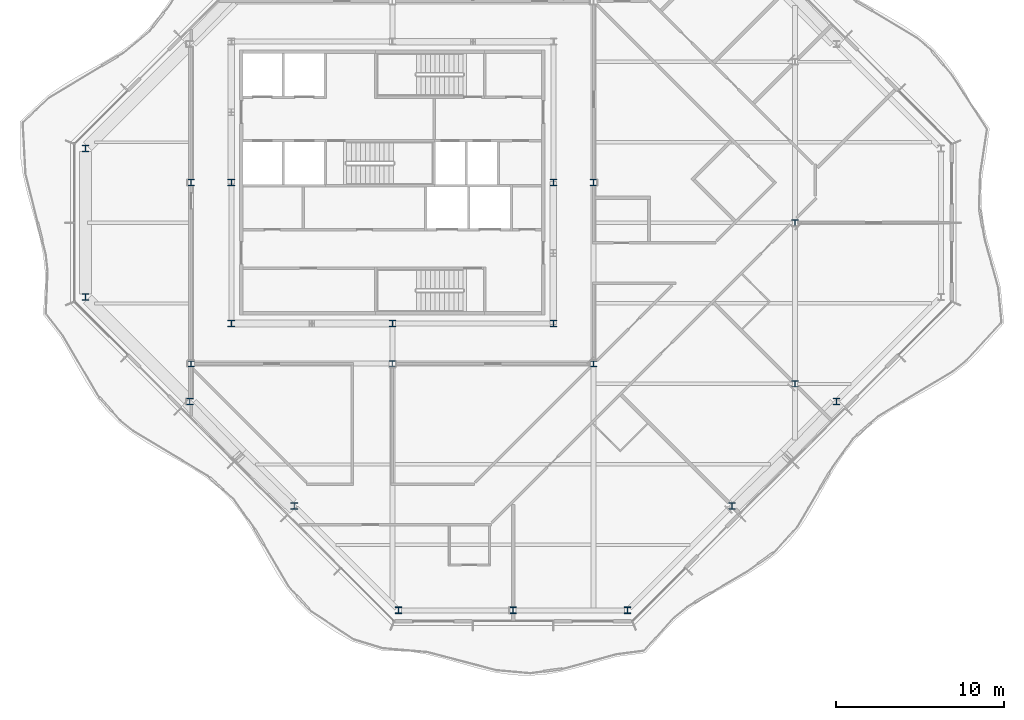
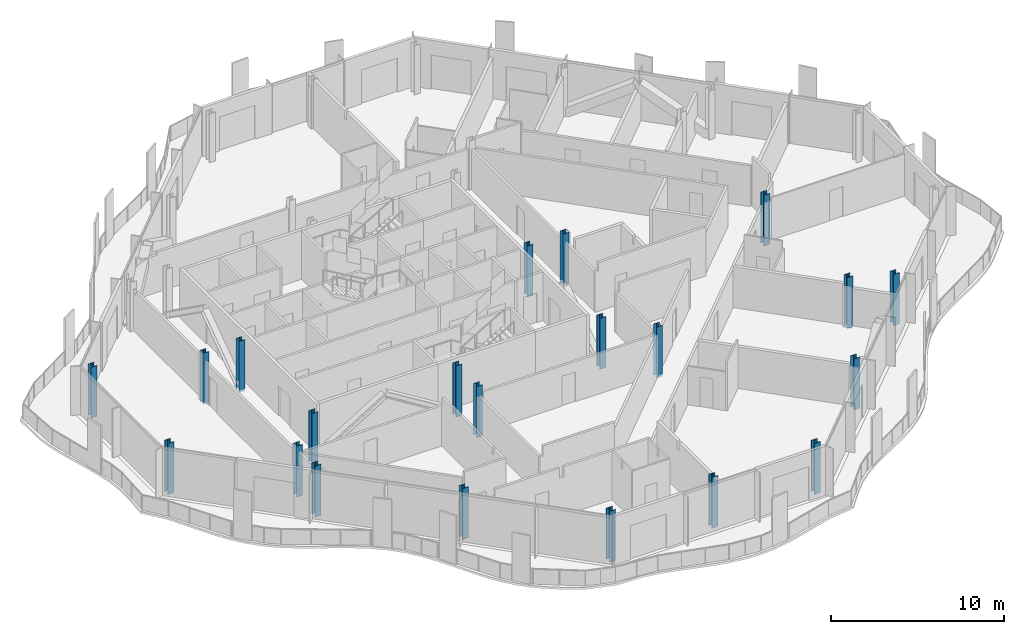
# One storey, part 1 of 17: 21 columns.
"""IFC4 building model written with IfcOpenShell, lengths in metres."""

from ifc_helpers import new_model, si_unit, direction, frame, origin, origin_2d, place, context, subcontext, project, spatial, i_section, extrude, material, material_profile, profile_set, type_object, element, save


model = new_model("IFC4")

# Units and contexts
model_context = context("Model", 3, precision=1e-05, world=origin(), true_north=direction((0.0, 1.0)))
body_context = subcontext(model_context, "Body", "Model", "MODEL_VIEW")
ifc_project = project(units=[si_unit("LENGTHUNIT", "METRE"), si_unit("AREAUNIT", "SQUARE_METRE"), si_unit("VOLUMEUNIT", "CUBIC_METRE"), si_unit("PLANEANGLEUNIT", "RADIAN"), si_unit("MASSUNIT", "GRAM", prefix="KILO")], contexts=[model_context])

# Site, building, storey
site_placement = place(None, origin())
site = spatial("IfcSite", under=ifc_project, at=site_placement, CompositionType="ELEMENT")
building_placement = place(site_placement, origin())
building = spatial("IfcBuilding", under=site, at=building_placement, Name="Cairn Pilgrim Tower", CompositionType="ELEMENT")
storey_placement = place(building_placement, frame((0.0, 0.0, 274.199951171875)))
storey = spatial("IfcBuildingStorey", under=building, at=storey_placement, Name="L70", CompositionType="ELEMENT", Elevation=274.199951171875)

# Columns
ifc_material = material(Name="Structural steel S355J2", Category="steel")
ifc_material_profile_1 = material_profile(ifc_material, i_section(OverallWidth=0.39404296875, OverallDepth=0.375, WebThickness=0.017333984375, FlangeThickness=0.027587890625, FilletRadius=0.014892578125, at=origin_2d()), Name="HD 400x216")
ifc_profile_set_1 = profile_set([ifc_material_profile_1], Name="Structural steel S355J2")
column_type_1 = type_object("IfcColumnType", Name="HD 400x216", PredefinedType="COLUMN", material=ifc_profile_set_1)
for number, where, z_axis, x_axis, name in (
    (1, (-4.800048828125, -8.39990234375, -0.14990234375), (0.0, 0.0, 1.0), (1.0, 0.0, 0.0), "IC-1"),
    (2, (7.199951171875, -8.39990234375, -0.14990234375), (0.0, 0.0, 1.0), (1.0, 0.0, 0.0), "IC-2"),
    (3, (19.199951171875, -8.39990234375, -0.14990234375), (0.0, 0.0, 1.0), (1.0, 0.0, 0.0), "IC-3"),
    (4, (-4.800048828125, 2.39990234375, -0.14990234375), (0.0, 0.0, 1.0), (1.0, 0.0, 0.0), "IC-4"),
    (5, (19.199951171875, 2.39990234375, -0.14990234375), (0.0, 0.0, 1.0), (1.0, 0.0, 0.0), "IC-5"),
    (6, (31.199951171875, -9.60009765625, -0.14990234375), (0.0, 0.0, 1.0), (1.0, 0.0, 0.0), "WC-WE-2"),
    (7, (31.199951171875, 0.0, -0.14990234375), (0.0, 0.0, 1.0), (1.0, 0.0, 0.0), "WC-WE+0"),
):
    element("IfcColumn", number, at=place(storey_placement, frame(where, z_axis=z_axis, x_axis=x_axis)), inside=storey, type_object=column_type_1, Name=name, PredefinedType="COLUMN", context=body_context, shape_type="SweptSolid", body=[
        extrude(i_section(OverallWidth=0.39404296875, OverallDepth=0.375, WebThickness=0.017333984375, FlangeThickness=0.027587890625, FilletRadius=0.014892578125, at=origin_2d()), origin(), (0.0, 0.0, 1.0), 3.599853515625),
    ])
ifc_material_profile_2 = material_profile(ifc_material, i_section(OverallWidth=0.39794921875, OverallDepth=0.386962890625, WebThickness=0.02099609375, FlangeThickness=0.033203125, FilletRadius=0.014892578125, at=origin_2d()), Name="HD 400x262")
ifc_profile_set_2 = profile_set([ifc_material_profile_2], Name="Structural steel S355J2")
column_type_2 = type_object("IfcColumnType", Name="HD 400x262", PredefinedType="COLUMN", material=ifc_profile_set_2)
for number, where, z_axis, x_axis, name in (
    (8, (-2.39990234375, -6.0, -0.14990234375), (0.0, 0.0, 1.0), (1.0, 0.0, 0.0), "KC-1"),
    (9, (7.199951171875, -6.0, -0.14990234375), (0.0, 0.0, 1.0), (1.0, 0.0, 0.0), "KC-2"),
    (10, (16.800048828125, -6.0, -0.14990234375), (0.0, 0.0, 1.0), (1.0, 0.0, 0.0), "KC-3"),
    (11, (-2.39990234375, 2.39990234375, -0.14990234375), (0.0, 0.0, 1.0), (1.0, 0.0, 0.0), "KC-4"),
    (12, (16.800048828125, 2.39990234375, -0.14990234375), (0.0, 0.0, 1.0), (1.0, 0.0, 0.0), "KC-5"),
):
    element("IfcColumn", number, at=place(storey_placement, frame(where, z_axis=z_axis, x_axis=x_axis)), inside=storey, type_object=column_type_2, Name=name, PredefinedType="COLUMN", context=body_context, shape_type="SweptSolid", body=[
        extrude(i_section(OverallWidth=0.39794921875, OverallDepth=0.386962890625, WebThickness=0.02099609375, FlangeThickness=0.033203125, FilletRadius=0.014892578125, at=origin_2d()), origin(), (0.0, 0.0, 1.0), 3.599853515625),
    ])
ifc_material_profile_3 = material_profile(ifc_material, i_section(OverallWidth=0.39892578125, OverallDepth=0.39306640625, WebThickness=0.022705078125, FlangeThickness=0.03662109375, FilletRadius=0.014892578125, at=origin_2d()), Name="HD 400x287")
ifc_profile_set_3 = profile_set([ifc_material_profile_3], Name="Structural steel S355J2")
column_type_3 = type_object("IfcColumnType", Name="HD 400x287", PredefinedType="COLUMN", material=ifc_profile_set_3)
for number, where, z_axis, x_axis, name in (
    (13, (7.57275390625, -23.10009765625, -0.14990234375), (0.0, 0.0, 1.0), (1.0, 0.0, 0.0), "PC4-S1"),
    (14, (14.39990234375, -23.10009765625, -0.14990234375), (0.0, 0.0, 1.0), (1.0, 0.0, 0.0), "PC4-S2"),
    (15, (21.227294921875, -23.10009765625, -0.14990234375), (0.0, 0.0, 1.0), (1.0, 0.0, 0.0), "PC4-SE1"),
    (16, (27.451416015625, -16.875732421875, -0.14990234375), (0.0, 0.0, 1.0), (1.0, 0.0, 0.0), "PC4-SE2"),
    (17, (33.67578125, -10.651611328125, -0.14990234375), (0.0, 0.0, 1.0), (1.0, 0.0, 0.0), "PC4-SE3"),
    (18, (-11.10009765625, 4.42724609375, -0.14990234375), (0.0, 0.0, 1.0), (1.0, 0.0, 0.0), "PC4-W1"),
    (19, (-11.10009765625, -4.42724609375, -0.14990234375), (0.0, 0.0, 1.0), (1.0, 0.0, 0.0), "PC4-SW1"),
    (20, (-4.875732421875, -10.651611328125, -0.14990234375), (0.0, 0.0, 1.0), (1.0, 0.0, 0.0), "PC4-SW2"),
    (21, (1.348388671875, -16.875732421875, -0.14990234375), (0.0, 0.0, 1.0), (1.0, 0.0, 0.0), "PC4-SW3"),
):
    element("IfcColumn", number, at=place(storey_placement, frame(where, z_axis=z_axis, x_axis=x_axis)), inside=storey, type_object=column_type_3, Name=name, PredefinedType="COLUMN", context=body_context, shape_type="SweptSolid", body=[
        extrude(i_section(OverallWidth=0.39892578125, OverallDepth=0.39306640625, WebThickness=0.022705078125, FlangeThickness=0.03662109375, FilletRadius=0.014892578125, at=origin_2d()), origin(), (0.0, 0.0, 1.0), 3.599853515625),
    ])

save(model, "model.ifc")
